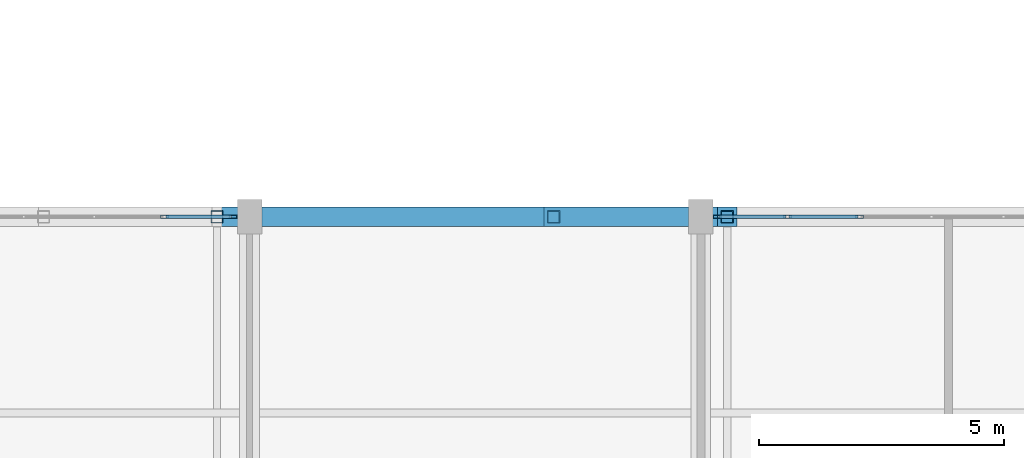
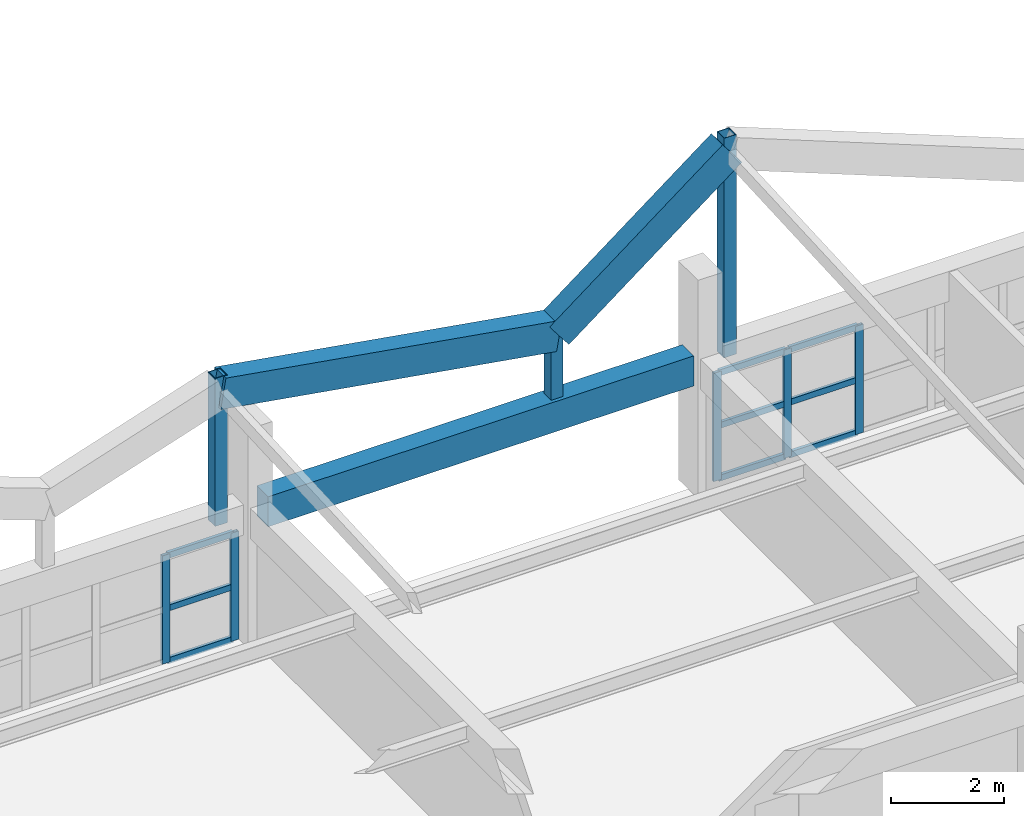
# One storey, part 25 of 127: 17 members, 3 beams, 2 elements without a shape of their own.
"""IFC4 building model written with IfcOpenShell, lengths in metres."""

from ifc_helpers import new_model, si_unit, direction, frame, origin, origin_2d, place, context, subcontext, project, spatial, rectangle, hollow_rectangle, extrude, material, material_profile, profile_set, type_object, element, aggregate, save


model = new_model("IFC4")

# Units and contexts
model_context = context("Model", 3, precision=1e-05, world=origin(), true_north=direction((0.0, 1.0)))
body_context = subcontext(model_context, "Body", "Model", "MODEL_VIEW")
ifc_project = project(units=[si_unit("LENGTHUNIT", "METRE"), si_unit("AREAUNIT", "SQUARE_METRE"), si_unit("VOLUMEUNIT", "CUBIC_METRE"), si_unit("PLANEANGLEUNIT", "RADIAN"), si_unit("MASSUNIT", "GRAM", prefix="KILO")], contexts=[model_context])

# Site, building, storey
site_placement = place(None, origin())
site = spatial("IfcSite", under=ifc_project, at=site_placement, CompositionType="ELEMENT")
building_placement = place(site_placement, origin())
building = spatial("IfcBuilding", under=site, at=building_placement, Name="Kestramere Prow Commons", CompositionType="ELEMENT")
storey_placement = place(building_placement, frame((0.0, 0.0, 8.39990234375)))
storey = spatial("IfcBuildingStorey", under=building, at=storey_placement, Name="L02", CompositionType="ELEMENT", Elevation=8.39990234375)

# Beams
ifc_material_1 = material(Name="Precast concrete C40/50", Category="concrete")
ifc_material_profile_1 = material_profile(ifc_material_1, rectangle(XDim=0.39990234375, YDim=0.64990234375, at=origin_2d()), Name="PC-BM 400x650")
ifc_profile_set_1 = profile_set([ifc_material_profile_1], Name="Precast concrete C40/50")
beam_type = type_object("IfcBeamType", Name="BM-MK-01 PC-BM 400x650 (EX)", PredefinedType="BEAM", material=ifc_profile_set_1)
beam_1_placement = place(storey_placement, frame((85.25, 24.0, 2.675048828125), z_axis=(1.0, 0.0, 0.0), x_axis=(0.0, 1.0, 0.0)))
element("IfcBeam", 1, at=beam_1_placement, inside=storey, type_object=beam_type, Name="Market Spine L02 Beam X 3-4", PredefinedType="BEAM", context=body_context, shape_type="SweptSolid", body=[
    extrude(rectangle(XDim=0.39990234375, YDim=0.64990234375, at=origin_2d()), origin(), (0.0, 0.0, 1.0), 8.699951171875),
])
beam_2_placement = place(storey_placement, frame((84.3359375, 24.0, 5.545166015625), z_axis=(0.986250388965, 0.0, -0.16525789018), x_axis=(0.0, 1.0, 0.0)))
element("IfcBeam", 2, at=beam_2_placement, inside=storey, type_object=beam_type, Name="Market Folded Rafter 3R-24", PredefinedType="BEAM", context=body_context, shape_type="SweptSolid", body=[
    extrude(rectangle(XDim=0.39990234375, YDim=0.64990234375, at=origin_2d()), origin(), (0.0, 0.0, 1.0), 6.959716796875),
])
beam_3_placement = place(storey_placement, frame((91.199951171875, 24.0, 4.39501953125), z_axis=(0.794781288508, 0.0, 0.606895957671), x_axis=(0.0, 1.0, 0.0)))
element("IfcBeam", 3, at=beam_3_placement, inside=storey, type_object=beam_type, Name="Market Folded Rafter 4L-24", PredefinedType="BEAM", context=body_context, shape_type="SweptSolid", body=[
    extrude(rectangle(XDim=0.39990234375, YDim=0.64990234375, at=origin_2d()), origin(), (0.0, 0.0, 1.0), 4.44921875),
])

# Members
ifc_material_2 = material(Name="Steel S355JR", Category="steel")
ifc_material_profile_2 = material_profile(ifc_material_2, hollow_rectangle(XDim=0.25, YDim=0.25, WallThickness=0.012451171875, at=origin_2d()), Name="SHS 250x250x12.5")
ifc_profile_set_2 = profile_set([ifc_material_profile_2], Name="Steel S355JR")
member_type_1 = type_object("IfcMemberType", Name="BRAPX-01 SHS 250x250x12.5", PredefinedType="BRACE", material=ifc_profile_set_2)
member_1_placement = place(storey_placement, frame((84.3359375, 24.0, 2.675048828125), z_axis=(0.0, 0.0, 1.0), x_axis=(1.0, 0.0, 0.0)))
element("IfcMember", 4, at=member_1_placement, inside=storey, type_object=member_type_1, Name="Market Folded Gable Diagonal Brace 3-24", PredefinedType="BRACE", context=body_context, shape_type="SweptSolid", body=[
    extrude(hollow_rectangle(XDim=0.25, YDim=0.25, WallThickness=0.012451171875, at=origin_2d()), origin(), (0.0, 0.0, 1.0), 3.195068359375),
])
member_2_placement = place(storey_placement, frame((94.736083984375, 24.0, 2.675048828125), z_axis=(0.0, 0.0, 1.0), x_axis=(1.0, 0.0, 0.0)))
element("IfcMember", 5, at=member_2_placement, inside=storey, type_object=member_type_1, Name="Market Folded Gable Diagonal Brace 4-24", PredefinedType="BRACE", context=body_context, shape_type="SweptSolid", body=[
    extrude(hollow_rectangle(XDim=0.25, YDim=0.25, WallThickness=0.012451171875, at=origin_2d()), origin(), (0.0, 0.0, 1.0), 4.7451171875),
])
member_3_placement = place(storey_placement, frame((91.199951171875, 24.0, 2.675048828125), z_axis=(0.0, 0.0, 1.0), x_axis=(1.0, 0.0, 0.0)))
element("IfcMember", 6, at=member_3_placement, inside=storey, type_object=member_type_1, Name="Market Folded Valley Diagonal Brace 4-24", PredefinedType="BRACE", context=body_context, shape_type="SweptSolid", body=[
    extrude(hollow_rectangle(XDim=0.25, YDim=0.25, WallThickness=0.012451171875, at=origin_2d()), origin(), (0.0, 0.0, 1.0), 2.045166015625),
])

# Curtain wall, members
ifc_material_3 = material(Name="Anodised Aluminium and Low-E Glass", Category="aluminium")
curtain_wall_type_1 = type_object("IfcCurtainWallType", Name="CW-30 Glazed Curtain Wall 8600x2340", PredefinedType="USERDEFINED", material=ifc_material_3)
curtain_wall_1_placement = place(storey_placement, origin())
curtain_wall_1 = element("IfcCurtainWall", 7, at=curtain_wall_1_placement, inside=storey, type_object=curtain_wall_type_1, Name="Market L02 Courtyard Shopfront 3", ObjectType="GLAZED CURTAIN WALL", PredefinedType="USERDEFINED")
ifc_material_4 = material(Name="Anodised Aluminium 6063-T6", Category="aluminium")
ifc_material_profile_3 = material_profile(ifc_material_4, hollow_rectangle(XDim=0.06494140625, YDim=0.159912109375, WallThickness=0.00390625, at=origin_2d()), Name="ALU-MUL 65x160")
ifc_profile_set_3 = profile_set([ifc_material_profile_3], Name="Anodised Aluminium 6063-T6")
member_type_2 = type_object("IfcMemberType", Name="CW-MUL-65x160", PredefinedType="MULLION", material=ifc_profile_set_3)
member_4_placement = place(storey_placement, frame((83.2666015625, 24.0, 0.0), z_axis=(0.0, 0.0, 1.0), x_axis=(0.0, 1.0, 0.0)))
member_4 = element("IfcMember", 8, at=member_4_placement, type_object=member_type_2, Name="CW-30 mullion 6", PredefinedType="MULLION", context=body_context, shape_type="SweptSolid", body=[
    extrude(hollow_rectangle(XDim=0.06494140625, YDim=0.159912109375, WallThickness=0.00390625, at=origin_2d()), origin(), (0.0, 0.0, 1.0), 2.340087890625),
])
member_5_placement = place(storey_placement, frame((84.66748046875, 24.0, 0.0), z_axis=(0.0, 0.0, 1.0), x_axis=(0.0, 1.0, 0.0)))
member_5 = element("IfcMember", 9, at=member_5_placement, type_object=member_type_2, Name="CW-30 mullion 7", PredefinedType="MULLION", context=body_context, shape_type="SweptSolid", body=[
    extrude(hollow_rectangle(XDim=0.06494140625, YDim=0.159912109375, WallThickness=0.00390625, at=origin_2d()), origin(), (0.0, 0.0, 1.0), 2.340087890625),
])

curtain_wall_type_2 = type_object("IfcCurtainWallType", Name="CW-31 Glazed Curtain Wall 8800x2340", PredefinedType="USERDEFINED", material=ifc_material_3)
curtain_wall_2_placement = place(storey_placement, origin())
curtain_wall_2 = element("IfcCurtainWall", 10, at=curtain_wall_2_placement, inside=storey, type_object=curtain_wall_type_2, Name="Market L02 Courtyard Shopfront 5", ObjectType="GLAZED CURTAIN WALL", PredefinedType="USERDEFINED")
member_6_placement = place(storey_placement, frame((94.532470703125, 24.0, 0.0), z_axis=(0.0, 0.0, 1.0), x_axis=(0.0, 1.0, 0.0)))
member_6 = element("IfcMember", 11, at=member_6_placement, type_object=member_type_2, Name="CW-31 mullion 1", PredefinedType="MULLION", context=body_context, shape_type="SweptSolid", body=[
    extrude(hollow_rectangle(XDim=0.06494140625, YDim=0.159912109375, WallThickness=0.00390625, at=origin_2d()), origin(), (0.0, 0.0, 1.0), 2.340087890625),
])
member_7_placement = place(storey_placement, frame((95.966552734375, 24.0, 0.0), z_axis=(0.0, 0.0, 1.0), x_axis=(0.0, 1.0, 0.0)))
member_7 = element("IfcMember", 12, at=member_7_placement, type_object=member_type_2, Name="CW-31 mullion 2", PredefinedType="MULLION", context=body_context, shape_type="SweptSolid", body=[
    extrude(hollow_rectangle(XDim=0.06494140625, YDim=0.159912109375, WallThickness=0.00390625, at=origin_2d()), origin(), (0.0, 0.0, 1.0), 2.340087890625),
])
member_8_placement = place(storey_placement, frame((97.433349609375, 24.0, 0.0), z_axis=(0.0, 0.0, 1.0), x_axis=(0.0, 1.0, 0.0)))
member_8 = element("IfcMember", 13, at=member_8_placement, type_object=member_type_2, Name="CW-31 mullion 3", PredefinedType="MULLION", context=body_context, shape_type="SweptSolid", body=[
    extrude(hollow_rectangle(XDim=0.06494140625, YDim=0.159912109375, WallThickness=0.00390625, at=origin_2d()), origin(), (0.0, 0.0, 1.0), 2.340087890625),
])

# Member
ifc_material_profile_4 = material_profile(ifc_material_4, hollow_rectangle(XDim=0.06494140625, YDim=0.1298828125, WallThickness=0.00390625, at=origin_2d()), Name="ALU-TRN 65x130")
ifc_profile_set_4 = profile_set([ifc_material_profile_4], Name="Anodised Aluminium 6063-T6")
member_type_3 = type_object("IfcMemberType", Name="CW-TRN-65x130", PredefinedType="USERDEFINED", material=ifc_profile_set_4)
member_9_placement = place(storey_placement, frame((83.299072265625, 24.0, 0.03271484375), z_axis=(1.0, 0.0, 0.0), x_axis=(0.0, 1.0, 0.0)))
member_9 = element("IfcMember", 14, at=member_9_placement, type_object=member_type_3, Name="CW-30 transom 6.1", ObjectType="TRANSOM", PredefinedType="USERDEFINED", context=body_context, shape_type="SweptSolid", body=[
    extrude(hollow_rectangle(XDim=0.06494140625, YDim=0.1298828125, WallThickness=0.00390625, at=origin_2d()), origin(), (0.0, 0.0, 1.0), 1.3359375),
])

member_10_placement = place(storey_placement, frame((83.299072265625, 24.0, 1.170166015625), z_axis=(1.0, 0.0, 0.0), x_axis=(0.0, 1.0, 0.0)))
member_10 = element("IfcMember", 15, at=member_10_placement, type_object=member_type_3, Name="CW-30 transom 6.2", ObjectType="TRANSOM", PredefinedType="USERDEFINED", context=body_context, shape_type="SweptSolid", body=[
    extrude(hollow_rectangle(XDim=0.06494140625, YDim=0.1298828125, WallThickness=0.00390625, at=origin_2d()), origin(), (0.0, 0.0, 1.0), 1.3359375),
])

member_11_placement = place(storey_placement, frame((83.299072265625, 24.0, 2.3076171875), z_axis=(1.0, 0.0, 0.0), x_axis=(0.0, 1.0, 0.0)))
member_11 = element("IfcMember", 16, at=member_11_placement, type_object=member_type_3, Name="CW-30 transom 6.3", ObjectType="TRANSOM", PredefinedType="USERDEFINED", context=body_context, shape_type="SweptSolid", body=[
    extrude(hollow_rectangle(XDim=0.06494140625, YDim=0.1298828125, WallThickness=0.00390625, at=origin_2d()), origin(), (0.0, 0.0, 1.0), 1.3359375),
])

aggregate(curtain_wall_1, [member_4, member_5, member_9, member_10, member_11])

member_12_placement = place(storey_placement, frame((94.56494140625, 24.0, 0.03271484375), z_axis=(1.0, 0.0, 0.0), x_axis=(0.0, 1.0, 0.0)))
member_12 = element("IfcMember", 17, at=member_12_placement, type_object=member_type_3, Name="CW-31 transom 1.1", ObjectType="TRANSOM", PredefinedType="USERDEFINED", context=body_context, shape_type="SweptSolid", body=[
    extrude(hollow_rectangle(XDim=0.06494140625, YDim=0.1298828125, WallThickness=0.00390625, at=origin_2d()), origin(), (0.0, 0.0, 1.0), 1.369140625),
])

member_13_placement = place(storey_placement, frame((94.56494140625, 24.0, 1.170166015625), z_axis=(1.0, 0.0, 0.0), x_axis=(0.0, 1.0, 0.0)))
member_13 = element("IfcMember", 18, at=member_13_placement, type_object=member_type_3, Name="CW-31 transom 1.2", ObjectType="TRANSOM", PredefinedType="USERDEFINED", context=body_context, shape_type="SweptSolid", body=[
    extrude(hollow_rectangle(XDim=0.06494140625, YDim=0.1298828125, WallThickness=0.00390625, at=origin_2d()), origin(), (0.0, 0.0, 1.0), 1.369140625),
])

member_14_placement = place(storey_placement, frame((94.56494140625, 24.0, 2.3076171875), z_axis=(1.0, 0.0, 0.0), x_axis=(0.0, 1.0, 0.0)))
member_14 = element("IfcMember", 19, at=member_14_placement, type_object=member_type_3, Name="CW-31 transom 1.3", ObjectType="TRANSOM", PredefinedType="USERDEFINED", context=body_context, shape_type="SweptSolid", body=[
    extrude(hollow_rectangle(XDim=0.06494140625, YDim=0.1298828125, WallThickness=0.00390625, at=origin_2d()), origin(), (0.0, 0.0, 1.0), 1.369140625),
])

member_15_placement = place(storey_placement, frame((95.999267578125, 24.0, 0.03271484375), z_axis=(1.0, 0.0, 0.0), x_axis=(0.0, 1.0, 0.0)))
member_15 = element("IfcMember", 20, at=member_15_placement, type_object=member_type_3, Name="CW-31 transom 2.1", ObjectType="TRANSOM", PredefinedType="USERDEFINED", context=body_context, shape_type="SweptSolid", body=[
    extrude(hollow_rectangle(XDim=0.06494140625, YDim=0.1298828125, WallThickness=0.00390625, at=origin_2d()), origin(), (0.0, 0.0, 1.0), 1.401611328125),
])

member_16_placement = place(storey_placement, frame((95.999267578125, 24.0, 1.170166015625), z_axis=(1.0, 0.0, 0.0), x_axis=(0.0, 1.0, 0.0)))
member_16 = element("IfcMember", 21, at=member_16_placement, type_object=member_type_3, Name="CW-31 transom 2.2", ObjectType="TRANSOM", PredefinedType="USERDEFINED", context=body_context, shape_type="SweptSolid", body=[
    extrude(hollow_rectangle(XDim=0.06494140625, YDim=0.1298828125, WallThickness=0.00390625, at=origin_2d()), origin(), (0.0, 0.0, 1.0), 1.401611328125),
])

member_17_placement = place(storey_placement, frame((95.999267578125, 24.0, 2.3076171875), z_axis=(1.0, 0.0, 0.0), x_axis=(0.0, 1.0, 0.0)))
member_17 = element("IfcMember", 22, at=member_17_placement, type_object=member_type_3, Name="CW-31 transom 2.3", ObjectType="TRANSOM", PredefinedType="USERDEFINED", context=body_context, shape_type="SweptSolid", body=[
    extrude(hollow_rectangle(XDim=0.06494140625, YDim=0.1298828125, WallThickness=0.00390625, at=origin_2d()), origin(), (0.0, 0.0, 1.0), 1.401611328125),
])

aggregate(curtain_wall_2, [member_6, member_7, member_8, member_12, member_13, member_14, member_15, member_16, member_17])

save(model, "model.ifc")
